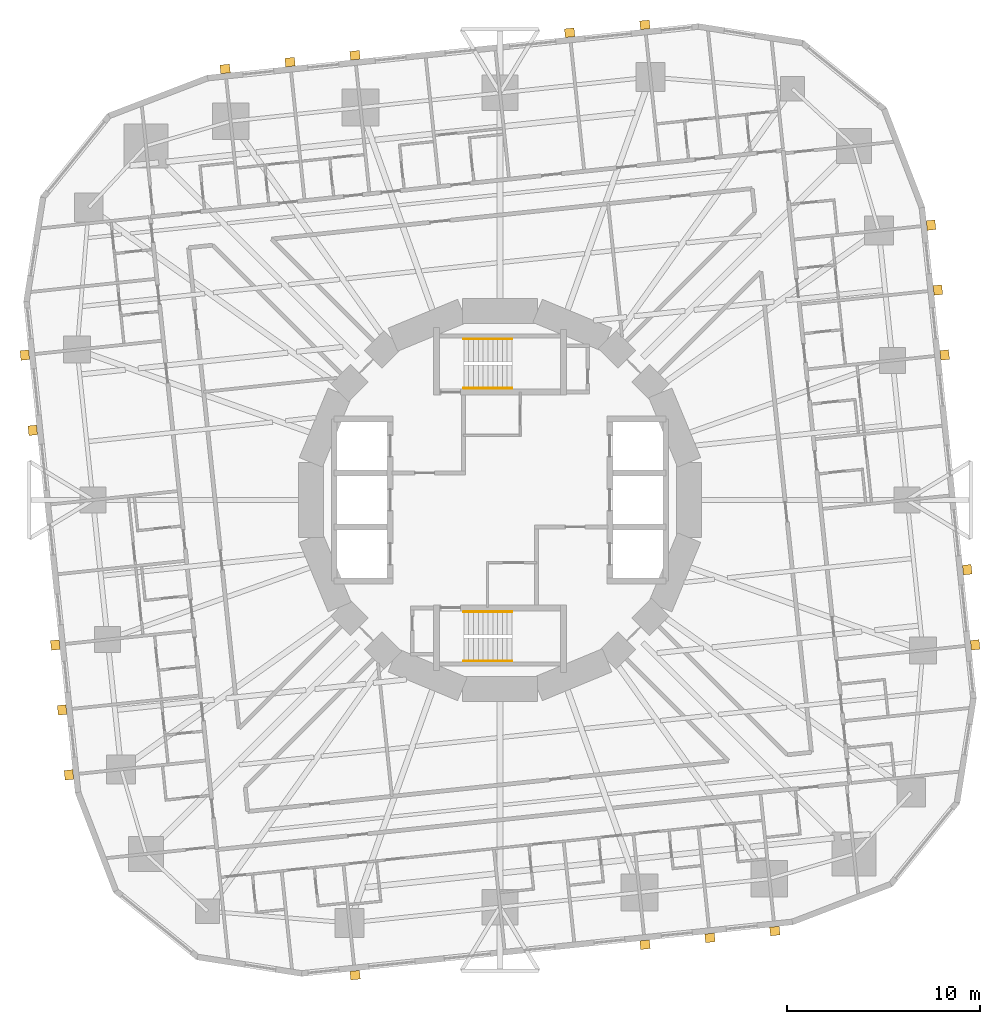
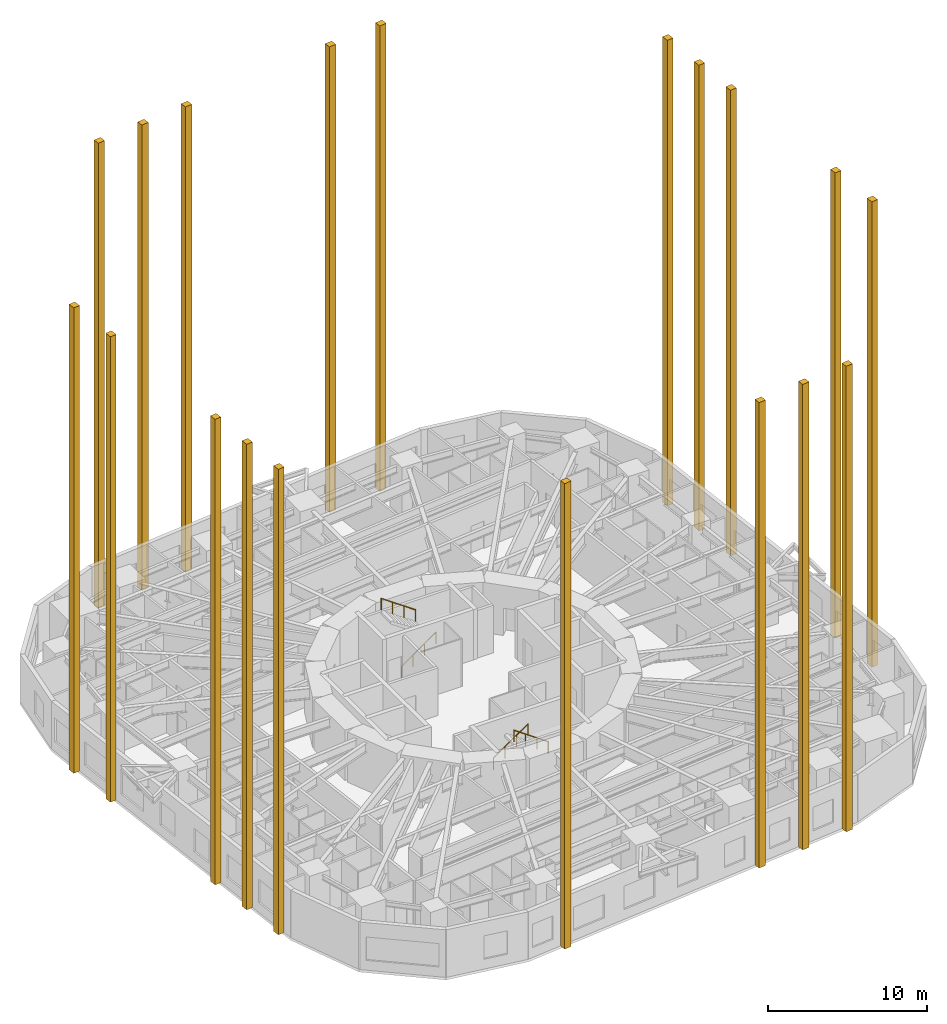
# One storey, part 13 of 13: 19 coverings, 4 railings.
"""IFC4 building model written with IfcOpenShell, lengths in metres."""

from ifc_helpers import new_model, si_unit, direction, frame, origin, origin_2d, place, context, subcontext, project, spatial, rectangle, circle, extrude, material, layer, layer_set, type_object, element, save


model = new_model("IFC4")

# Units and contexts
model_context = context("Model", 3, precision=1e-05, world=origin(), true_north=direction((0.0, 1.0)))
body_context = subcontext(model_context, "Body", "Model", "MODEL_VIEW")
ifc_project = project(units=[si_unit("LENGTHUNIT", "METRE"), si_unit("AREAUNIT", "SQUARE_METRE"), si_unit("VOLUMEUNIT", "CUBIC_METRE"), si_unit("PLANEANGLEUNIT", "RADIAN"), si_unit("MASSUNIT", "GRAM", prefix="KILO")], contexts=[model_context])

# Site, building, storey
site_placement = place(None, origin())
site = spatial("IfcSite", under=ifc_project, at=site_placement, CompositionType="ELEMENT")
building_placement = place(site_placement, origin())
building = spatial("IfcBuilding", under=site, at=building_placement, Name="Nakasero Lantern House", CompositionType="ELEMENT")
storey_placement = place(building_placement, frame((0.0, 0.0, 60.5)))
storey = spatial("IfcBuildingStorey", under=building, at=storey_placement, Name="L14", CompositionType="ELEMENT", Elevation=60.5)

# Coverings
ifc_material_1 = material(Name="Concrete C40/50 precast", Category="concrete")
ifc_layer = layer(ifc_material_1, 0.449951171875)
ifc_layer_set = layer_set([ifc_layer], Name="Buttress pier 500x450")
covering_type = type_object("IfcCoveringType", Name="Buttress pier 500x450", PredefinedType="CLADDING", material=ifc_layer_set)
for number, where, z_axis, x_axis, name in (
    (1, (24.6455078125, -7.514404296875, 0.0), (0.0, 0.0, 1.0), (0.994521895368, 0.104528463268, 0.0), "Buttress pier B2 0-00"),
    (2, (24.235595703125, -3.61474609375, 0.0), (0.0, 0.0, 1.0), (0.994521895368, 0.104528463268, 0.0), "Buttress pier B2 0-01"),
    (3, (23.065185546875, 7.522216796875, 0.0), (0.0, 0.0, 1.0), (0.994521895368, 0.104528463268, 0.0), "Buttress pier B2 0-02"),
    (4, (22.711181640625, 10.88916015625, 0.0), (0.0, 0.0, 1.0), (0.994521895368, 0.104528463268, 0.0), "Buttress pier B2 0-03"),
    (5, (22.357421875, 14.256103515625, 0.0), (0.0, 0.0, 1.0), (0.994521895368, 0.104528463268, 0.0), "Buttress pier B2 0-04"),
    (6, (7.514404296875, 24.6455078125, 0.0), (0.0, 0.0, 1.0), (-0.104528463268, 0.994521895368, 0.0), "Buttress pier B2 1-00"),
    (7, (3.61474609375, 24.235595703125, 0.0), (0.0, 0.0, 1.0), (-0.104528463268, 0.994521895368, 0.0), "Buttress pier B2 1-01"),
    (8, (-7.522216796875, 23.065185546875, 0.0), (0.0, 0.0, 1.0), (-0.104528463268, 0.994521895368, 0.0), "Buttress pier B2 1-02"),
    (9, (-10.88916015625, 22.711181640625, 0.0), (0.0, 0.0, 1.0), (-0.104528463268, 0.994521895368, 0.0), "Buttress pier B2 1-03"),
    (10, (-14.256103515625, 22.357421875, 0.0), (0.0, 0.0, 1.0), (-0.104528463268, 0.994521895368, 0.0), "Buttress pier B2 1-04"),
    (11, (-24.6455078125, 7.514404296875, 0.0), (0.0, 0.0, 1.0), (-0.994521895368, -0.104528463268, 0.0), "Buttress pier B2 2-00"),
    (12, (-24.235595703125, 3.61474609375, 0.0), (0.0, 0.0, 1.0), (-0.994521895368, -0.104528463268, 0.0), "Buttress pier B2 2-01"),
    (13, (-23.065185546875, -7.522216796875, 0.0), (0.0, 0.0, 1.0), (-0.994521895368, -0.104528463268, 0.0), "Buttress pier B2 2-02"),
    (14, (-22.711181640625, -10.88916015625, 0.0), (0.0, 0.0, 1.0), (-0.994521895368, -0.104528463268, 0.0), "Buttress pier B2 2-03"),
    (15, (-22.357421875, -14.256103515625, 0.0), (0.0, 0.0, 1.0), (-0.994521895368, -0.104528463268, 0.0), "Buttress pier B2 2-04"),
    (16, (-7.514404296875, -24.6455078125, 0.0), (0.0, 0.0, 1.0), (0.104528463268, -0.994521895368, 0.0), "Buttress pier B2 3-00"),
    (17, (7.522216796875, -23.065185546875, 0.0), (0.0, 0.0, 1.0), (0.104528463268, -0.994521895368, 0.0), "Buttress pier B2 3-01"),
    (18, (10.88916015625, -22.711181640625, 0.0), (0.0, 0.0, 1.0), (0.104528463268, -0.994521895368, 0.0), "Buttress pier B2 3-02"),
    (19, (14.256103515625, -22.357421875, 0.0), (0.0, 0.0, 1.0), (0.104528463268, -0.994521895368, 0.0), "Buttress pier B2 3-03"),
):
    element("IfcCovering", number, at=place(storey_placement, frame(where, z_axis=z_axis, x_axis=x_axis)), inside=storey, type_object=covering_type, Name=name, PredefinedType="CLADDING", context=body_context, shape_type="SweptSolid", body=[
        extrude(rectangle(XDim=0.449951171875, YDim=0.5, at=origin_2d()), origin(), (0.0, 0.0, 1.0), 35.75),
    ])

# Railings
ifc_material_2 = material(Name="Stainless steel 316", Category="steel")
railing_type = type_object("IfcRailingType", Name="Stair handrail 900", PredefinedType="HANDRAIL", material=ifc_material_2)
railing_1_placement = place(storey_placement, frame((-1.875, 5.800048828125, 0.175048828125)))
element("IfcRailing", 20, at=railing_1_placement, inside=storey, type_object=railing_type, Name="Handrail ST1 L14 flight 1", PredefinedType="HANDRAIL", context=body_context, shape_type="SweptSolid", body=[
    extrude(circle(Radius=0.02392578125, at=origin_2d()), frame((0.0, 0.0, 0.8759765625), z_axis=(0.819231920519, 0.0, 0.573462344363), x_axis=(0.0, 1.0, 0.0)), (0.0, 0.0, 1.0), 3.0517578125),
    extrude(circle(Radius=0.02099609375, at=origin_2d()), origin(), (0.0, 0.0, 1.0), 0.851806640625),
    extrude(circle(Radius=0.02099609375, at=origin_2d()), frame((0.833251953125, 0.0, 0.583251953125)), (0.0, 0.0, 1.0), 0.851806640625),
    extrude(circle(Radius=0.02099609375, at=origin_2d()), frame((1.666748046875, 0.0, 1.166748046875)), (0.0, 0.0, 1.0), 0.851806640625),
    extrude(circle(Radius=0.02099609375, at=origin_2d()), frame((2.5, 0.0, 1.75)), (0.0, 0.0, 1.0), 0.851806640625),
])
railing_2_placement = place(storey_placement, frame((0.625, 8.35009765625, 2.10009765625)))
element("IfcRailing", 21, at=railing_2_placement, inside=storey, type_object=railing_type, Name="Handrail ST1 L14 flight 2", PredefinedType="HANDRAIL", context=body_context, shape_type="SweptSolid", body=[
    extrude(circle(Radius=0.02392578125, at=origin_2d()), frame((0.0, 0.0, 0.8759765625), z_axis=(-0.819231920519, 0.0, 0.573462344363), x_axis=(0.0, -1.0, 0.0)), (0.0, 0.0, 1.0), 3.0517578125),
    extrude(circle(Radius=0.02099609375, at=origin_2d()), origin(), (0.0, 0.0, 1.0), 0.851806640625),
    extrude(circle(Radius=0.02099609375, at=origin_2d()), frame((-0.833251953125, 0.0, 0.583251953125)), (0.0, 0.0, 1.0), 0.851806640625),
    extrude(circle(Radius=0.02099609375, at=origin_2d()), frame((-1.666748046875, 0.0, 1.166748046875)), (0.0, 0.0, 1.0), 0.851806640625),
    extrude(circle(Radius=0.02099609375, at=origin_2d()), frame((-2.5, 0.0, 1.75)), (0.0, 0.0, 1.0), 0.851806640625),
])
railing_3_placement = place(storey_placement, frame((-1.875, -5.800048828125, 0.175048828125)))
element("IfcRailing", 22, at=railing_3_placement, inside=storey, type_object=railing_type, Name="Handrail ST2 L14 flight 1", PredefinedType="HANDRAIL", context=body_context, shape_type="SweptSolid", body=[
    extrude(circle(Radius=0.02392578125, at=origin_2d()), frame((0.0, 0.0, 0.8759765625), z_axis=(0.819231920519, 0.0, 0.573462344363), x_axis=(0.0, 1.0, 0.0)), (0.0, 0.0, 1.0), 3.0517578125),
    extrude(circle(Radius=0.02099609375, at=origin_2d()), origin(), (0.0, 0.0, 1.0), 0.851806640625),
    extrude(circle(Radius=0.02099609375, at=origin_2d()), frame((0.833251953125, 0.0, 0.583251953125)), (0.0, 0.0, 1.0), 0.851806640625),
    extrude(circle(Radius=0.02099609375, at=origin_2d()), frame((1.666748046875, 0.0, 1.166748046875)), (0.0, 0.0, 1.0), 0.851806640625),
    extrude(circle(Radius=0.02099609375, at=origin_2d()), frame((2.5, 0.0, 1.75)), (0.0, 0.0, 1.0), 0.851806640625),
])
railing_4_placement = place(storey_placement, frame((0.625, -8.35009765625, 2.10009765625)))
element("IfcRailing", 23, at=railing_4_placement, inside=storey, type_object=railing_type, Name="Handrail ST2 L14 flight 2", PredefinedType="HANDRAIL", context=body_context, shape_type="SweptSolid", body=[
    extrude(circle(Radius=0.02392578125, at=origin_2d()), frame((0.0, 0.0, 0.8759765625), z_axis=(-0.819231920519, 0.0, 0.573462344363), x_axis=(0.0, -1.0, 0.0)), (0.0, 0.0, 1.0), 3.0517578125),
    extrude(circle(Radius=0.02099609375, at=origin_2d()), origin(), (0.0, 0.0, 1.0), 0.851806640625),
    extrude(circle(Radius=0.02099609375, at=origin_2d()), frame((-0.833251953125, 0.0, 0.583251953125)), (0.0, 0.0, 1.0), 0.851806640625),
    extrude(circle(Radius=0.02099609375, at=origin_2d()), frame((-1.666748046875, 0.0, 1.166748046875)), (0.0, 0.0, 1.0), 0.851806640625),
    extrude(circle(Radius=0.02099609375, at=origin_2d()), frame((-2.5, 0.0, 1.75)), (0.0, 0.0, 1.0), 0.851806640625),
])

save(model, "model.ifc")
